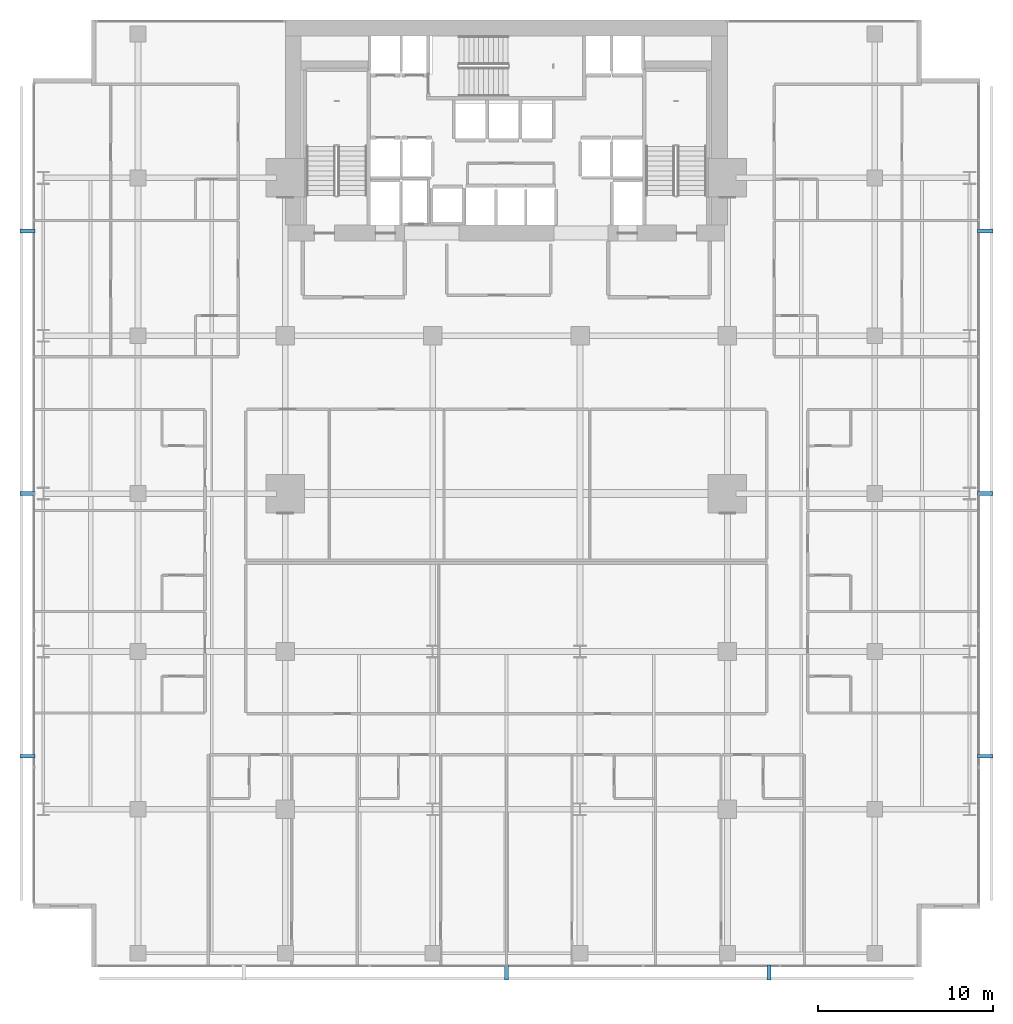
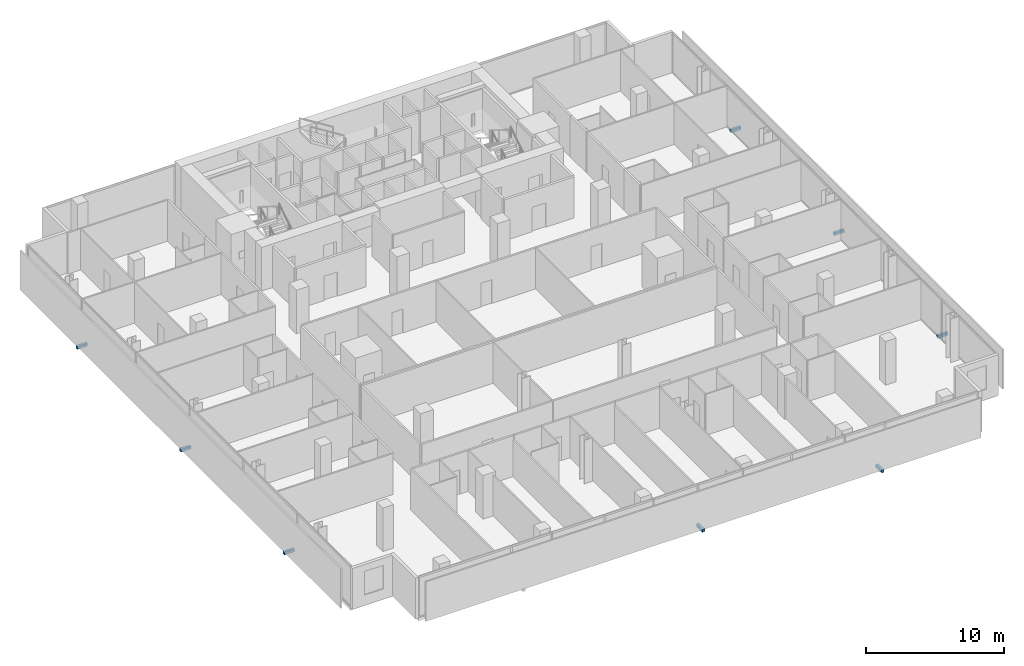
# One storey, part 38 of 40: 8 discrete accessories.
"""IFC4 building model written with IfcOpenShell, lengths in metres."""

from ifc_helpers import new_model, si_unit, direction, frame, origin, origin_2d, place, context, subcontext, project, spatial, rectangle, extrude, material, type_object, element, save


model = new_model("IFC4")

# Units and contexts
model_context = context("Model", 3, precision=1e-05, world=origin(), true_north=direction((0.0, 1.0)))
body_context = subcontext(model_context, "Body", "Model", "MODEL_VIEW")
ifc_project = project(units=[si_unit("LENGTHUNIT", "METRE"), si_unit("AREAUNIT", "SQUARE_METRE"), si_unit("VOLUMEUNIT", "CUBIC_METRE"), si_unit("PLANEANGLEUNIT", "RADIAN"), si_unit("MASSUNIT", "GRAM", prefix="KILO")], contexts=[model_context])

# Site, building, storey
site_placement = place(None, origin())
site = spatial("IfcSite", under=ifc_project, at=site_placement, CompositionType="ELEMENT")
building_placement = place(site_placement, origin())
building = spatial("IfcBuilding", under=site, at=building_placement, Name="Maruvema Waterfront Hotel and Observation Tower", CompositionType="ELEMENT")
storey_placement = place(building_placement, frame((0.0, 0.0, 88.550048828125)))
storey = spatial("IfcBuildingStorey", under=building, at=storey_placement, Name="L21", CompositionType="ELEMENT", Elevation=88.550048828125)

# Discrete accessories
ifc_material = material(Name="Duplex stainless steel Grade 2205", Category="steel")
discrete_accessory_type = type_object("IfcDiscreteAccessoryType", Name="Double-Skin Cavity Stainless Outrigger Bracket", PredefinedType="BRACKET", material=ifc_material)
for number, where, z_axis, x_axis, name in (
    (1, (37.800048828125, -0.300048828125, -0.14013671875), (0.0, 0.0, 1.0), (1.0, 0.0, 0.0), "L21 Outer Skin Support Bracket 2"),
    (2, (52.77587890625, -0.300048828125, -0.14013671875), (0.0, 0.0, 1.0), (1.0, 0.0, 0.0), "L21 Outer Skin Support Bracket 3"),
    (3, (65.10009765625, 12.02392578125, -0.14013671875), (0.0, 0.0, 1.0), (0.0, 1.0, 0.0), "L21 Outer Skin Support Bracket 1"),
    (4, (65.10009765625, 27.0, -0.14013671875), (0.0, 0.0, 1.0), (0.0, 1.0, 0.0), "L21 Outer Skin Support Bracket 2"),
    (5, (65.10009765625, 41.97607421875, -0.14013671875), (0.0, 0.0, 1.0), (0.0, 1.0, 0.0), "L21 Outer Skin Support Bracket 3"),
    (6, (10.5, 41.97607421875, -0.14013671875), (0.0, 0.0, 1.0), (0.0, -1.0, 0.0), "L21 Outer Skin Support Bracket 1"),
    (7, (10.5, 27.0, -0.14013671875), (0.0, 0.0, 1.0), (0.0, -1.0, 0.0), "L21 Outer Skin Support Bracket 2"),
    (8, (10.5, 12.02392578125, -0.14013671875), (0.0, 0.0, 1.0), (0.0, -1.0, 0.0), "L21 Outer Skin Support Bracket 3"),
):
    element("IfcDiscreteAccessory", number, at=place(storey_placement, frame(where, z_axis=z_axis, x_axis=x_axis)), inside=storey, type_object=discrete_accessory_type, Name=name, PredefinedType="BRACKET", context=body_context, shape_type="SweptSolid", body=[
        extrude(rectangle(XDim=0.219970703125, YDim=0.860107421875, at=origin_2d()), origin(), (0.0, 0.0, 1.0), 0.239990234375),
    ])

save(model, "model.ifc")
